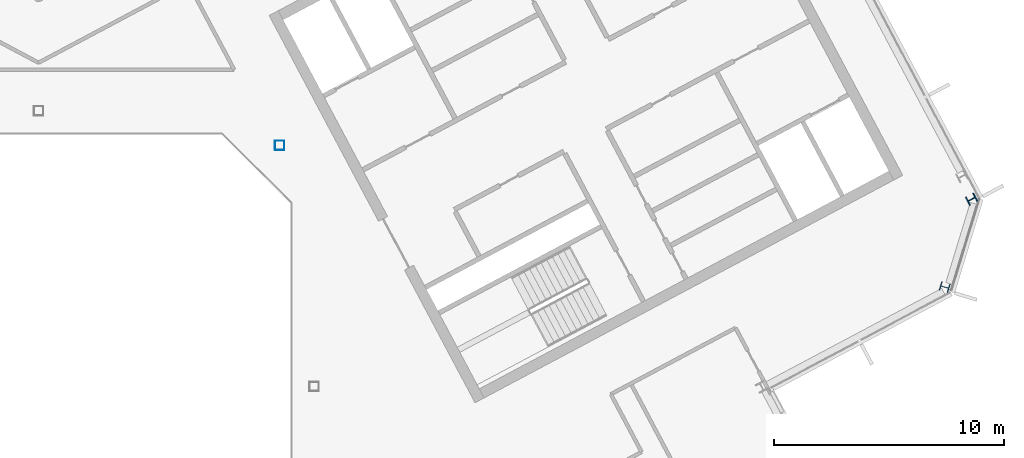
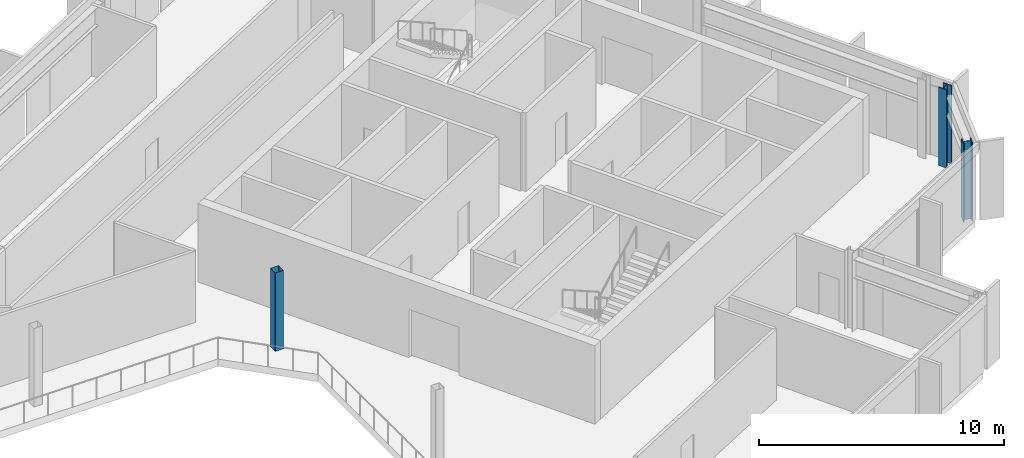
# One storey, part 6 of 26: 3 columns.
"""IFC4 building model written with IfcOpenShell, lengths in metres."""

from ifc_helpers import new_model, si_unit, direction, frame, origin, origin_2d, place, context, subcontext, project, spatial, hollow_rectangle, i_section, extrude, material, material_profile, profile_set, type_object, element, save


model = new_model("IFC4")

# Units and contexts
model_context = context("Model", 3, precision=1e-05, world=origin(), true_north=direction((0.0, 1.0)))
body_context = subcontext(model_context, "Body", "Model", "MODEL_VIEW")
ifc_project = project(units=[si_unit("LENGTHUNIT", "METRE"), si_unit("AREAUNIT", "SQUARE_METRE"), si_unit("VOLUMEUNIT", "CUBIC_METRE"), si_unit("PLANEANGLEUNIT", "RADIAN"), si_unit("MASSUNIT", "GRAM", prefix="KILO")], contexts=[model_context])

# Site, building, storey
site_placement = place(None, origin())
site = spatial("IfcSite", under=ifc_project, at=site_placement, CompositionType="ELEMENT")
building_placement = place(site_placement, origin())
building = spatial("IfcBuilding", under=site, at=building_placement, Name="Cormorant Relay Tower", CompositionType="ELEMENT")
storey_placement = place(building_placement, frame((0.0, 0.0, 293.10009765625)))
storey = spatial("IfcBuildingStorey", under=building, at=storey_placement, Name="L66", CompositionType="ELEMENT", Elevation=293.10009765625)

# Columns
ifc_material_1 = material(Name="Steel ASTM A500 Grade C (Fy 345 MPa)", Category="steel")
ifc_material_profile_1 = material_profile(ifc_material_1, hollow_rectangle(XDim=0.406494140625, YDim=0.406494140625, WallThickness=0.0087890625, InnerFilletRadius=0.00439453125, OuterFilletRadius=0.01318359375, at=origin_2d()), Name="HSS406x406x9")
ifc_profile_set_1 = profile_set([ifc_material_profile_1], Name="Steel ASTM A500 Grade C (Fy 345 MPa)")
column_type_1 = type_object("IfcColumnType", Name="Column HSS406x406x9", PredefinedType="COLUMN", material=ifc_profile_set_1)
column_placement = place(storey_placement, frame((10.5, 10.5, 0.0), z_axis=(0.0, 0.0, 1.0), x_axis=(1.0, 0.0, 0.0)))
element("IfcColumn", 1, at=column_placement, inside=storey, type_object=column_type_1, Name="Column L66-024", PredefinedType="COLUMN", context=body_context, shape_type="SweptSolid", body=[
    extrude(hollow_rectangle(XDim=0.406494140625, YDim=0.406494140625, WallThickness=0.0087890625, InnerFilletRadius=0.00439453125, OuterFilletRadius=0.01318359375, at=origin_2d()), origin(), (0.0, 0.0, 1.0), 3.89990234375),
])
ifc_material_2 = material(Name="Steel ASTM A992 (Fy 345 MPa)", Category="steel")
ifc_material_profile_2 = material_profile(ifc_material_2, i_section(OverallWidth=0.40380859375, OverallDepth=0.406494140625, WebThickness=0.027099609375, FlangeThickness=0.043701171875, FilletRadius=0.01513671875, at=origin_2d()), Name="W360x347")
ifc_profile_set_2 = profile_set([ifc_material_profile_2], Name="Steel ASTM A992 (Fy 345 MPa)")
column_type_2 = type_object("IfcColumnType", Name="Column W360x347", PredefinedType="COLUMN", material=ifc_profile_set_2)
for number, where, z_axis, x_axis, name in (
    (2, (39.464111328125, 4.330078125, 0.0), (0.0, 0.0, 1.0), (0.292371704723, 0.956304755963, 0.0), "Column L66-019"),
    (3, (40.633056640625, 8.153076171875, 0.0), (0.0, 0.0, 1.0), (-0.469471562786, 0.882947592859, 0.0), "Column L66-020"),
):
    element("IfcColumn", number, at=place(storey_placement, frame(where, z_axis=z_axis, x_axis=x_axis)), inside=storey, type_object=column_type_2, Name=name, PredefinedType="COLUMN", context=body_context, shape_type="SweptSolid", body=[
        extrude(i_section(OverallWidth=0.40380859375, OverallDepth=0.406494140625, WebThickness=0.027099609375, FlangeThickness=0.043701171875, FilletRadius=0.01513671875, at=origin_2d()), origin(), (0.0, 0.0, 1.0), 3.89990234375),
    ])

save(model, "model.ifc")
